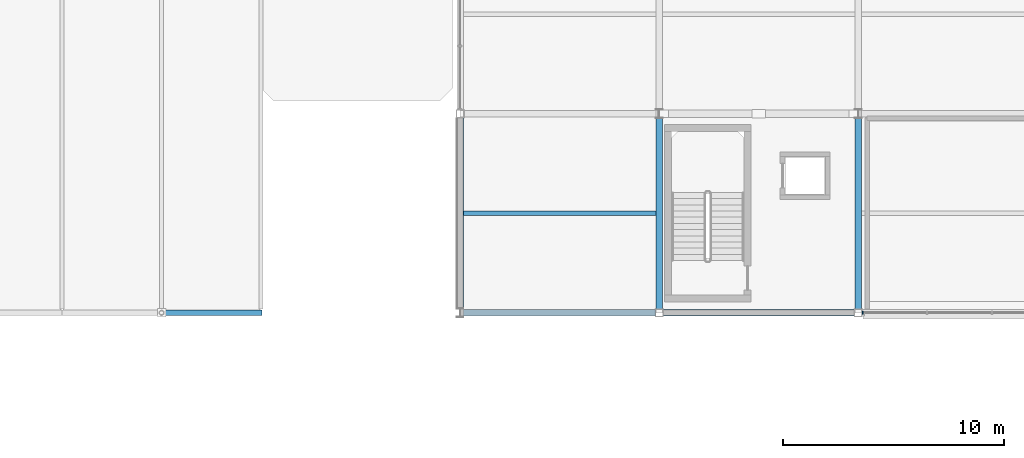
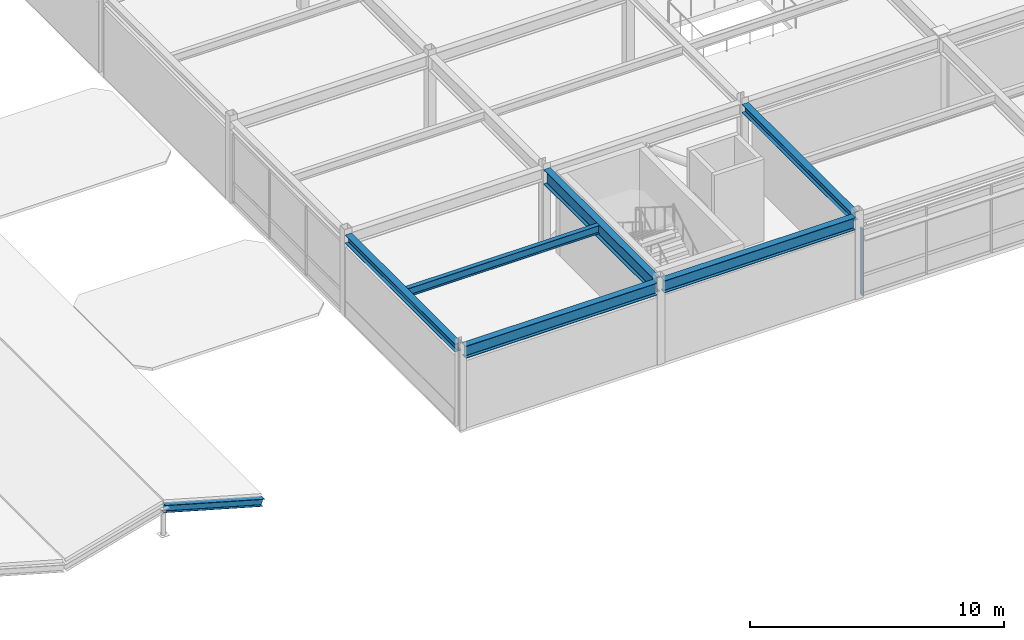
# One storey, part 9 of 40: 6 beams, 2 members, 1 element without a shape of its own.
"""IFC4 building model written with IfcOpenShell, lengths in metres."""

from ifc_helpers import new_model, si_unit, direction, frame, origin, origin_2d, place, context, subcontext, project, spatial, rectangle, i_section, extrude, material, material_profile, profile_set, type_object, element, aggregate, save


model = new_model("IFC4")

# Units and contexts
model_context = context("Model", 3, precision=1e-05, world=origin(), true_north=direction((0.0, 1.0)))
body_context = subcontext(model_context, "Body", "Model", "MODEL_VIEW")
ifc_project = project(units=[si_unit("LENGTHUNIT", "METRE"), si_unit("AREAUNIT", "SQUARE_METRE"), si_unit("VOLUMEUNIT", "CUBIC_METRE"), si_unit("PLANEANGLEUNIT", "RADIAN"), si_unit("MASSUNIT", "GRAM", prefix="KILO")], contexts=[model_context])

# Site, building, storey
site_placement = place(None, origin())
site = spatial("IfcSite", under=ifc_project, at=site_placement, CompositionType="ELEMENT")
building_placement = place(site_placement, origin())
building = spatial("IfcBuilding", under=site, at=building_placement, Name="Suzunagisa Mobility Hub", CompositionType="ELEMENT")
storey_placement = place(building_placement, frame((0.0, 0.0, 21.89990234375)))
storey = spatial("IfcBuildingStorey", under=building, at=storey_placement, Name="L05", CompositionType="ELEMENT", Elevation=21.89990234375)

# Curtain wall, member
ifc_material_1 = material(Name="Thermally Broken Anodized Aluminum and Low-E Glazing", Category="aluminium")
curtain_wall_type = type_object("IfcCurtainWallType", Name="Unitised Curtain Wall CW-13 8750x3200", PredefinedType="USERDEFINED", material=ifc_material_1)
curtain_wall_placement = place(storey_placement, origin())
curtain_wall = element("IfcCurtainWall", 1, at=curtain_wall_placement, inside=storey, type_object=curtain_wall_type, Name="L05 Unitised Curtain Wall CW-135", ObjectType="UNITISED CURTAIN WALL", PredefinedType="USERDEFINED")
ifc_material_2 = material(Name="Anodized Aluminum 6063-T6", Category="aluminium")
ifc_material_profile_1 = material_profile(ifc_material_2, rectangle(XDim=0.06005859375, YDim=0.14990234375, at=origin_2d()), Name="MULL-60x150")
ifc_profile_set_1 = profile_set([ifc_material_profile_1], Name="Anodized Aluminum 6063-T6")
member_type_1 = type_object("IfcMemberType", Name="Curtain Wall Framing CM-03 MULL-60x150", PredefinedType="MULLION", material=ifc_profile_set_1)
member_1_placement = place(storey_placement, frame((63.205078125, 80.0, 0.0), z_axis=(0.0, 0.0, 1.0), x_axis=(1.0, 0.0, 0.0)))
member_1 = element("IfcMember", 2, at=member_1_placement, type_object=member_type_1, Name="Curtain Wall Mullion 135-M1", PredefinedType="MULLION", context=body_context, shape_type="SweptSolid", body=[
    extrude(rectangle(XDim=0.06005859375, YDim=0.14990234375, at=origin_2d()), origin(), (0.0, 0.0, 1.0), 3.22021484375),
])
aggregate(curtain_wall, [member_1])

# Member
ifc_material_3 = material(Name="Steel SN400B", Category="steel")
ifc_material_profile_2 = material_profile(ifc_material_3, i_section(OverallWidth=0.25, OverallDepth=0.340087890625, WebThickness=0.009033203125, FlangeThickness=0.013916015625, FilletRadius=0.010009765625, at=origin_2d()), Name="H-340x250x9x14")
ifc_profile_set_2 = profile_set([ifc_material_profile_2], Name="Steel SN400B")
member_type_2 = type_object("IfcMemberType", Name="Roof Truss and Brace Member MB-11 H-340x250x9x14", PredefinedType="RAFTER", material=ifc_profile_set_2)
member_2_placement = place(storey_placement, frame((36.0, 80.0, -0.3798828125), z_axis=(-0.962514716328, 0.0, 0.271229461622), x_axis=(0.0, -1.0, 0.0)))
element("IfcMember", 3, at=member_2_placement, inside=storey, type_object=member_type_2, Name="L05 Ramp Canopy Rafter 244", PredefinedType="RAFTER", context=body_context, shape_type="SweptSolid", body=[
    extrude(i_section(OverallWidth=0.25, OverallDepth=0.340087890625, WebThickness=0.009033203125, FlangeThickness=0.013916015625, FilletRadius=0.010009765625, at=origin_2d()), origin(), (0.0, 0.0, 1.0), 4.67529296875),
])

# Beams
ifc_material_4 = material(Name="Steel SN490B", Category="steel")
ifc_material_profile_3 = material_profile(ifc_material_4, i_section(OverallWidth=0.300048828125, OverallDepth=0.699951171875, WebThickness=0.012939453125, FlangeThickness=0.02392578125, FilletRadius=0.01806640625, at=origin_2d()), Name="H-700x300x13x24")
ifc_profile_set_3 = profile_set([ifc_material_profile_3], Name="Steel SN490B")
beam_type_1 = type_object("IfcBeamType", Name="Steel Beam BM-11 H-700x300x13x24", PredefinedType="BEAM", material=ifc_profile_set_3)
beam_1_placement = place(storey_placement, frame((54.0, 80.1708984375, 3.590087890625), z_axis=(0.0, 1.0, 0.0), x_axis=(-1.0, 0.0, 0.0)))
element("IfcBeam", 4, at=beam_1_placement, inside=storey, type_object=beam_type_1, Name="L05 Primary Girder GY-1242", PredefinedType="BEAM", context=body_context, shape_type="SweptSolid", body=[
    extrude(i_section(OverallWidth=0.300048828125, OverallDepth=0.699951171875, WebThickness=0.012939453125, FlangeThickness=0.02392578125, FilletRadius=0.01806640625, at=origin_2d()), origin(), (0.0, 0.0, 1.0), 8.63818359375),
])
ifc_material_profile_4 = material_profile(ifc_material_4, i_section(OverallWidth=0.300048828125, OverallDepth=0.389892578125, WebThickness=0.010009765625, FlangeThickness=0.01611328125, FilletRadius=0.012939453125, at=origin_2d()), Name="H-390x300x10x16")
ifc_profile_set_4 = profile_set([ifc_material_profile_4], Name="Steel SN490B")
beam_type_2 = type_object("IfcBeamType", Name="Steel Beam BM-13 H-390x300x10x16", PredefinedType="SPANDREL", material=ifc_profile_set_4)
for number, where, z_axis, x_axis, name in (
    (5, (45.0, 80.19091796875, 3.7451171875), (0.0, 1.0, 0.0), (-1.0, 0.0, 0.0), "L05 Primary Girder GY-1240"),
    (6, (63.0, 80.1708984375, 3.72509765625), (0.0, 1.0, 0.0), (-1.0, 0.0, 0.0), "L05 Primary Girder GY-1244"),
):
    element("IfcBeam", number, at=place(storey_placement, frame(where, z_axis=z_axis, x_axis=x_axis)), inside=storey, type_object=beam_type_2, Name=name, PredefinedType="SPANDREL", context=body_context, shape_type="SweptSolid", body=[
        extrude(i_section(OverallWidth=0.300048828125, OverallDepth=0.389892578125, WebThickness=0.010009765625, FlangeThickness=0.01611328125, FilletRadius=0.012939453125, at=origin_2d()), origin(), (0.0, 0.0, 1.0), 8.63818359375),
    ])
ifc_material_profile_5 = material_profile(ifc_material_3, i_section(OverallWidth=0.199951171875, OverallDepth=0.39990234375, WebThickness=0.008056640625, FlangeThickness=0.012939453125, FilletRadius=0.012939453125, at=origin_2d()), Name="H-400x200x8x13")
ifc_profile_set_5 = profile_set([ifc_material_profile_5], Name="Steel SN400B")
beam_type_3 = type_object("IfcBeamType", Name="Steel Beam BM-14 H-400x200x8x13", PredefinedType="JOIST", material=ifc_profile_set_5)
beam_2_placement = place(storey_placement, frame((45.14990234375, 84.5, 3.739990234375), z_axis=(1.0, 0.0, 0.0), x_axis=(0.0, 1.0, 0.0)))
element("IfcBeam", 7, at=beam_2_placement, inside=storey, type_object=beam_type_3, Name="L05 Composite Floor Joist J-1246", PredefinedType="JOIST", context=body_context, shape_type="SweptSolid", body=[
    extrude(i_section(OverallWidth=0.199951171875, OverallDepth=0.39990234375, WebThickness=0.008056640625, FlangeThickness=0.012939453125, FilletRadius=0.012939453125, at=origin_2d()), origin(), (0.0, 0.0, 1.0), 8.7001953125),
])
ifc_material_profile_6 = material_profile(ifc_material_4, i_section(OverallWidth=0.300048828125, OverallDepth=0.587890625, WebThickness=0.011962890625, FlangeThickness=0.02001953125, FilletRadius=0.012939453125, at=origin_2d()), Name="H-588x300x12x20")
ifc_profile_set_6 = profile_set([ifc_material_profile_6], Name="Steel SN490B")
beam_type_4 = type_object("IfcBeamType", Name="Steel Beam BM-16 H-588x300x12x20", PredefinedType="BEAM", material=ifc_profile_set_6)
beam_3_placement = place(storey_placement, frame((45.14599609375, 80.0, 3.64599609375), z_axis=(1.0, 0.0, 0.0), x_axis=(0.0, 1.0, 0.0)))
element("IfcBeam", 8, at=beam_3_placement, inside=storey, type_object=beam_type_4, Name="L05 Primary Girder GX-1234", PredefinedType="BEAM", context=body_context, shape_type="SweptSolid", body=[
    extrude(i_section(OverallWidth=0.300048828125, OverallDepth=0.587890625, WebThickness=0.011962890625, FlangeThickness=0.02001953125, FilletRadius=0.012939453125, at=origin_2d()), origin(), (0.0, 0.0, 1.0), 8.68310546875),
])
beam_4_placement = place(storey_placement, frame((54.1708984375, 80.0, 3.6259765625), z_axis=(1.0, 0.0, 0.0), x_axis=(0.0, 1.0, 0.0)))
element("IfcBeam", 9, at=beam_4_placement, inside=storey, type_object=beam_type_4, Name="L05 Primary Girder GX-1235", PredefinedType="BEAM", context=body_context, shape_type="SweptSolid", body=[
    extrude(i_section(OverallWidth=0.300048828125, OverallDepth=0.587890625, WebThickness=0.011962890625, FlangeThickness=0.02001953125, FilletRadius=0.012939453125, at=origin_2d()), origin(), (0.0, 0.0, 1.0), 8.658203125),
])

save(model, "model.ifc")
